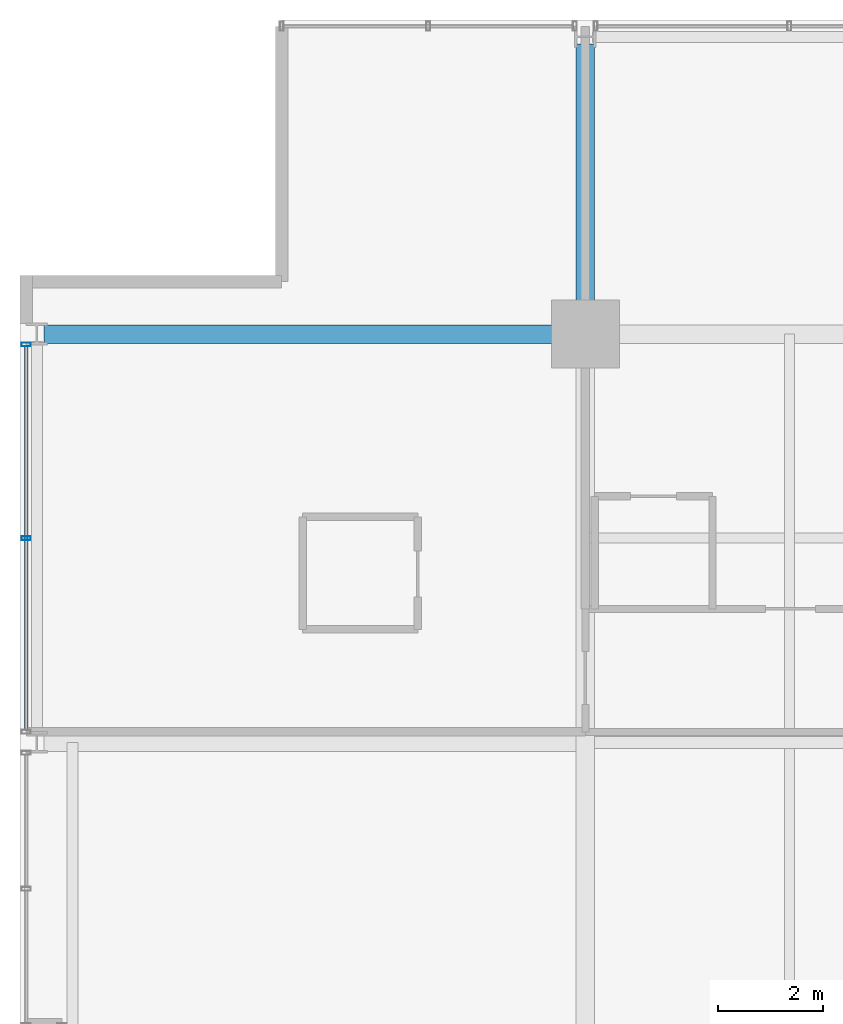
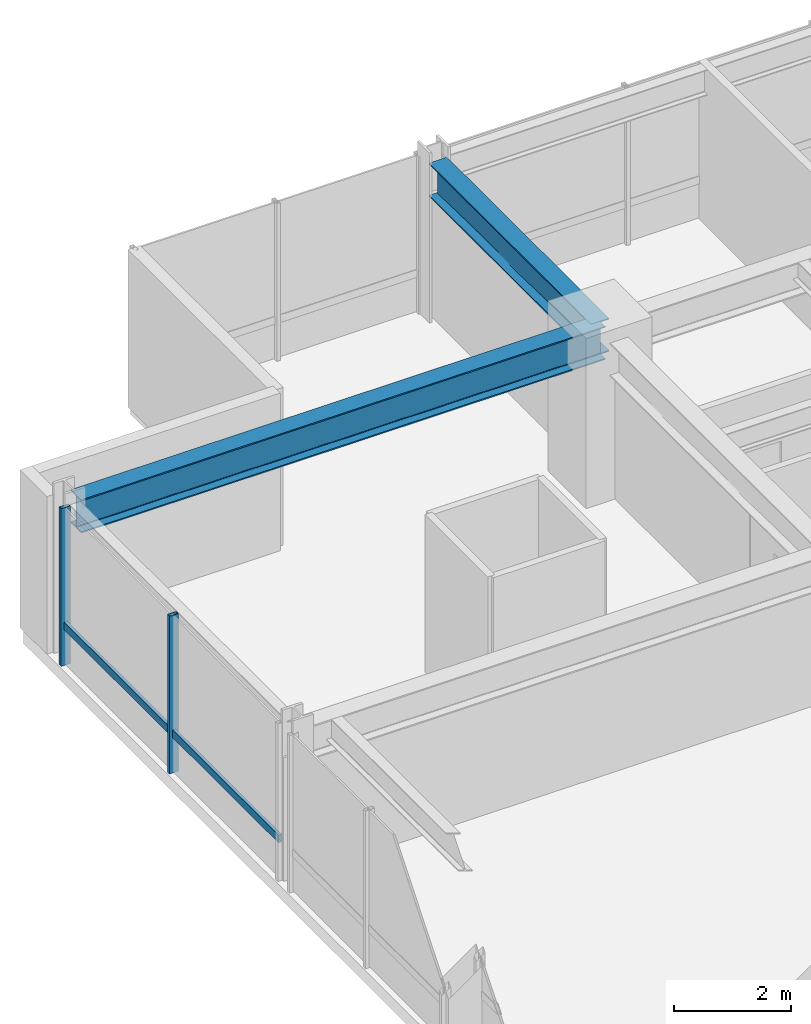
# One storey, part 18 of 32: 3 members, 2 beams, 1 element without a shape of its own.
"""IFC4 building model written with IfcOpenShell, lengths in metres."""

from ifc_helpers import new_model, si_unit, direction, frame, origin, origin_2d, place, context, subcontext, project, spatial, hollow_rectangle, i_section, extrude, material, layer, layer_set, material_profile, profile_set, type_object, element, aggregate, save


model = new_model("IFC4")

# Units and contexts
model_context = context("Model", 3, precision=1e-05, world=origin(), true_north=direction((0.0, 1.0)))
body_context = subcontext(model_context, "Body", "Model", "MODEL_VIEW")
ifc_project = project(units=[si_unit("LENGTHUNIT", "METRE"), si_unit("AREAUNIT", "SQUARE_METRE"), si_unit("VOLUMEUNIT", "CUBIC_METRE"), si_unit("PLANEANGLEUNIT", "RADIAN"), si_unit("MASSUNIT", "GRAM", prefix="KILO")], contexts=[model_context])

# Site, building, storey
site_placement = place(None, origin())
site = spatial("IfcSite", under=ifc_project, at=site_placement, CompositionType="ELEMENT")
building_placement = place(site_placement, origin())
building = spatial("IfcBuilding", under=site, at=building_placement, Name="Drelvath Grand Hotel", CompositionType="ELEMENT")
storey_placement = place(building_placement, frame((0.0, 0.0, 150.39990234375)))
storey = spatial("IfcBuildingStorey", under=building, at=storey_placement, Name="L38", CompositionType="ELEMENT", Elevation=150.39990234375)

# Curtain wall, members
ifc_material_1 = material(Name="Brushed Pale-Silver Anodised Aluminium Frame", Category="aluminium")
ifc_layer = layer(ifc_material_1, 0.199951171875)
ifc_layer_set = layer_set([ifc_layer], Name="Brushed Pale-Silver Anodised Aluminium Frame")
curtain_wall_type = type_object("IfcCurtainWallType", Name="Stick Curtain Wall CW-04 Brushed Silver Upper-Mid", PredefinedType="NOTDEFINED", material=ifc_layer_set)
curtain_wall_placement = place(storey_placement, origin())
curtain_wall = element("IfcCurtainWall", 1, at=curtain_wall_placement, inside=storey, type_object=curtain_wall_type, Name="L38 CW-04 Curtain Wall CW04-L38-WN2", PredefinedType="NOTDEFINED")
ifc_material_profile_1 = material_profile(ifc_material_1, hollow_rectangle(XDim=0.06494140625, YDim=0.159912109375, WallThickness=0.00390625, at=origin_2d()), Name="HSS160X65X4")
ifc_profile_set_1 = profile_set([ifc_material_profile_1], Name="Brushed Pale-Silver Anodised Aluminium Frame")
member_type_1 = type_object("IfcMemberType", Name="Curtain Wall Horizontal Transom CW-04 HSS160X65X4", PredefinedType="USERDEFINED", material=ifc_profile_set_1)
member_1_placement = place(storey_placement, frame((-26.8798828125, 35.639892578125, 0.822509765625), z_axis=(0.0, 1.0, 0.0), x_axis=(-1.0, 0.0, 0.0)))
member_1 = element("IfcMember", 2, at=member_1_placement, type_object=member_type_1, Name="CW04-L38-WN2 Sill Transom", ObjectType="TRANSOM", PredefinedType="USERDEFINED", context=body_context, shape_type="SweptSolid", body=[
    extrude(hollow_rectangle(XDim=0.06494140625, YDim=0.159912109375, WallThickness=0.00390625, at=origin_2d()), origin(), (0.0, 0.0, 1.0), 7.320068359375),
])
ifc_material_profile_2 = material_profile(ifc_material_1, hollow_rectangle(XDim=0.074951171875, YDim=0.179931640625, WallThickness=0.0048828125, at=origin_2d()), Name="HSS180X75X5")
ifc_profile_set_2 = profile_set([ifc_material_profile_2], Name="Brushed Pale-Silver Anodised Aluminium Frame")
member_type_2 = type_object("IfcMemberType", Name="Curtain Wall Vertical Mullion CW-04 HSS180X75X5", PredefinedType="MULLION", material=ifc_profile_set_2)
member_2_placement = place(storey_placement, frame((-26.8798828125, 39.300048828125, 0.0), z_axis=(0.0, 0.0, 1.0), x_axis=(0.0, 1.0, 0.0)))
member_2 = element("IfcMember", 3, at=member_2_placement, type_object=member_type_2, Name="CW04-L38-WN2 Mullion 2", PredefinedType="MULLION", context=body_context, shape_type="SweptSolid", body=[
    extrude(hollow_rectangle(XDim=0.074951171875, YDim=0.179931640625, WallThickness=0.0048828125, at=origin_2d()), origin(), (0.0, 0.0, 1.0), 3.2900390625),
])
member_3_placement = place(storey_placement, frame((-26.8798828125, 43.0, 0.0), z_axis=(0.0, 0.0, 1.0), x_axis=(0.0, 1.0, 0.0)))
member_3 = element("IfcMember", 4, at=member_3_placement, type_object=member_type_2, Name="CW04-L38-WN2 Mullion 3", PredefinedType="MULLION", context=body_context, shape_type="SweptSolid", body=[
    extrude(hollow_rectangle(XDim=0.074951171875, YDim=0.179931640625, WallThickness=0.0048828125, at=origin_2d()), origin(), (0.0, 0.0, 1.0), 3.2900390625),
])
aggregate(curtain_wall, [member_2, member_3, member_1])

# Beams
ifc_material_2 = material(Name="Steel ASTM A992 Gr 50", Category="steel")
ifc_material_profile_3 = material_profile(ifc_material_2, i_section(OverallWidth=0.354736328125, OverallDepth=0.695556640625, WebThickness=0.015380859375, FlangeThickness=0.025146484375, FilletRadius=0.02392578125, at=origin_2d()), Name="W27X146")
ifc_profile_set_3 = profile_set([ifc_material_profile_3], Name="Steel ASTM A992 Gr 50")
beam_type = type_object("IfcBeamType", Name="Primary Floor Girder W27X146", PredefinedType="BEAM", material=ifc_profile_set_3)
beam_1_placement = place(storey_placement, frame((-26.5400390625, 43.199951171875, 2.9423828125), z_axis=(1.0, 0.0, 0.0), x_axis=(0.0, 1.0, 0.0)))
element("IfcBeam", 5, at=beam_1_placement, inside=storey, type_object=beam_type, Name="L38 West Grid Girder G", PredefinedType="BEAM", context=body_context, shape_type="SweptSolid", body=[
    extrude(i_section(OverallWidth=0.354736328125, OverallDepth=0.695556640625, WebThickness=0.015380859375, FlangeThickness=0.025146484375, FilletRadius=0.02392578125, at=origin_2d()), origin(), (0.0, 0.0, 1.0), 10.340087890625),
])
beam_2_placement = place(storey_placement, frame((-16.199951171875, 43.199951171875, 2.9423828125), z_axis=(0.0, 1.0, 0.0), x_axis=(-1.0, 0.0, 0.0)))
element("IfcBeam", 6, at=beam_2_placement, inside=storey, type_object=beam_type, Name="L38 North Grid Girder 3", PredefinedType="BEAM", context=body_context, shape_type="SweptSolid", body=[
    extrude(i_section(OverallWidth=0.354736328125, OverallDepth=0.695556640625, WebThickness=0.015380859375, FlangeThickness=0.025146484375, FilletRadius=0.02392578125, at=origin_2d()), origin(), (0.0, 0.0, 1.0), 5.5400390625),
])

save(model, "model.ifc")
